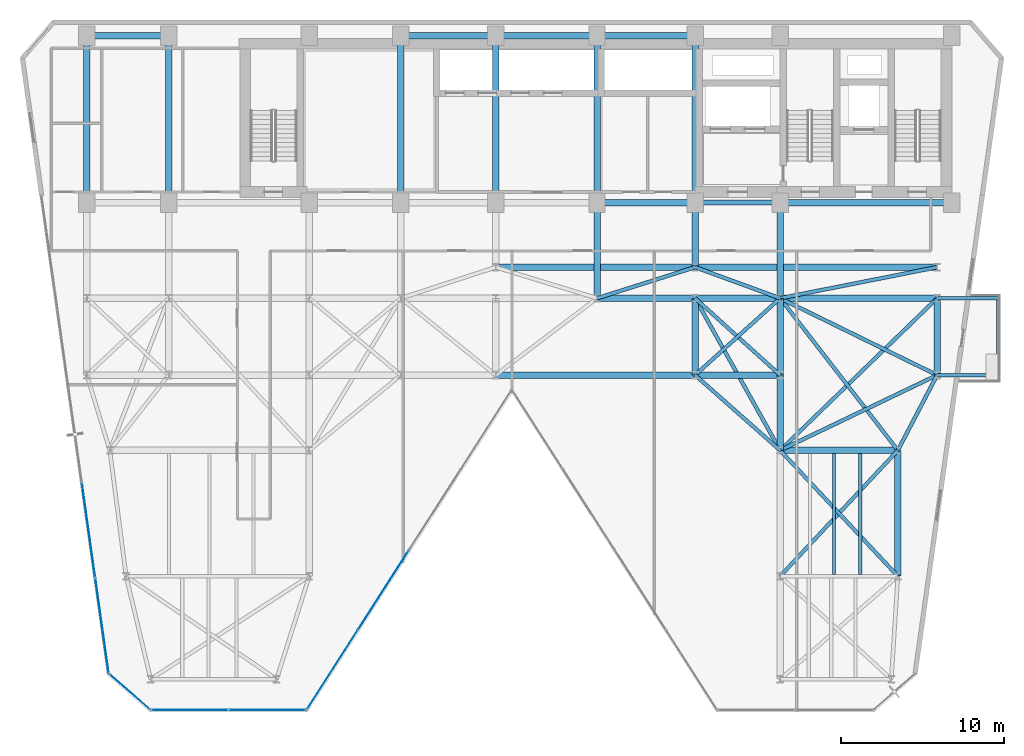
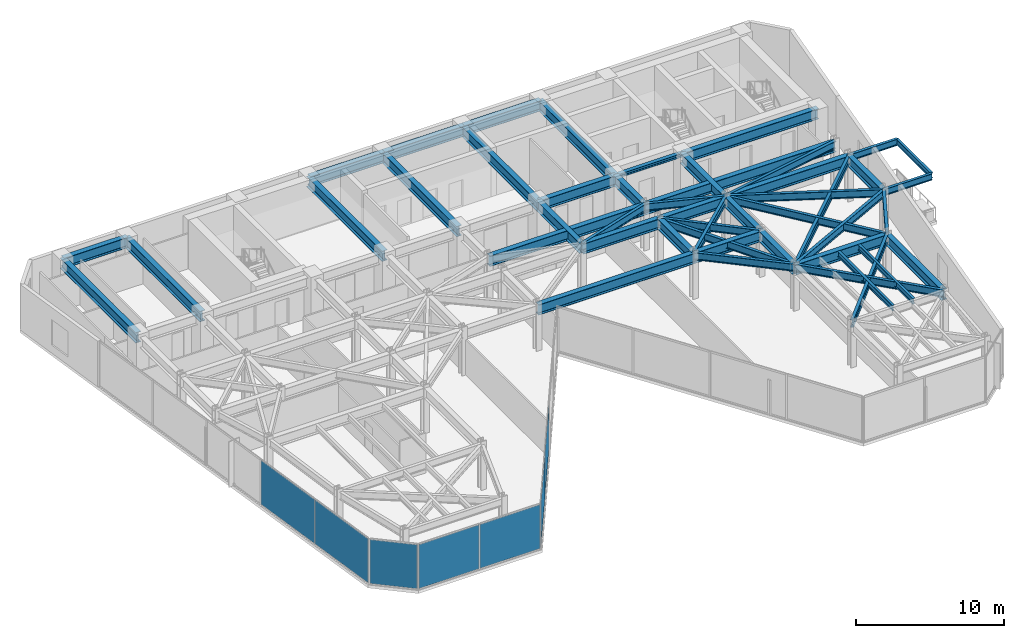
# One storey, part 20 of 26: 48 beams, 7 plates, 4 elements without a shape of their own.
"""IFC4 building model written with IfcOpenShell, lengths in metres."""

from ifc_helpers import new_model, si_unit, direction, frame, origin, origin_2d, place, context, subcontext, project, spatial, rectangle, i_section, extrude, material, layer, layer_set, material_profile, profile_set, type_object, element, aggregate, save


model = new_model("IFC4")

# Units and contexts
model_context = context("Model", 3, precision=1e-05, world=origin(), true_north=direction((0.0, 1.0)))
body_context = subcontext(model_context, "Body", "Model", "MODEL_VIEW")
ifc_project = project(units=[si_unit("LENGTHUNIT", "METRE"), si_unit("AREAUNIT", "SQUARE_METRE"), si_unit("VOLUMEUNIT", "CUBIC_METRE"), si_unit("PLANEANGLEUNIT", "RADIAN"), si_unit("MASSUNIT", "GRAM", prefix="KILO")], contexts=[model_context])

# Site, building, storey
site_placement = place(None, origin())
site = spatial("IfcSite", under=ifc_project, at=site_placement, CompositionType="ELEMENT")
building_placement = place(site_placement, origin())
building = spatial("IfcBuilding", under=site, at=building_placement, Name="Kravanh Interchange Tower", CompositionType="ELEMENT")
storey_placement = place(building_placement, frame((0.0, 0.0, 116.0)))
storey = spatial("IfcBuildingStorey", under=building, at=storey_placement, Name="L27", CompositionType="ELEMENT", Elevation=116.0)

# Beams
ifc_material_1 = material(Name="Structural Steel S355", Category="steel")
ifc_material_profile_1 = material_profile(ifc_material_1, i_section(OverallWidth=0.39990234375, OverallDepth=0.85595703125, WebThickness=0.018310546875, FlangeThickness=0.029296875, FilletRadius=0.02490234375, at=origin_2d()), Name="W33X201")
ifc_profile_set_1 = profile_set([ifc_material_profile_1], Name="Structural Steel S355")
beam_type_1 = type_object("IfcBeamType", Name="Floor Beam W33X201 Structural Steel S355", PredefinedType="BEAM", material=ifc_profile_set_1)
beam_1_placement = place(storey_placement, frame((66.5, 37.35009765625, 3.322021484375), z_axis=(-1.0, 0.0, 0.0), x_axis=(0.0, -1.0, 0.0)))
element("IfcBeam", 1, at=beam_1_placement, inside=storey, type_object=beam_type_1, Name="L27 Primary Floor Girder 5", PredefinedType="BEAM", context=body_context, shape_type="SweptSolid", body=[
    extrude(i_section(OverallWidth=0.39990234375, OverallDepth=0.85595703125, WebThickness=0.018310546875, FlangeThickness=0.029296875, FilletRadius=0.02490234375, at=origin_2d()), origin(), (0.0, 0.0, 1.0), 10.5),
])
beam_2_placement = place(storey_placement, frame((56.0, 37.35009765625, 3.322021484375), z_axis=(0.0, -1.0, 0.0), x_axis=(1.0, 0.0, 0.0)))
element("IfcBeam", 2, at=beam_2_placement, inside=storey, type_object=beam_type_1, Name="L27 Primary Floor Girder 7", PredefinedType="BEAM", context=body_context, shape_type="SweptSolid", body=[
    extrude(i_section(OverallWidth=0.39990234375, OverallDepth=0.85595703125, WebThickness=0.018310546875, FlangeThickness=0.029296875, FilletRadius=0.02490234375, at=origin_2d()), origin(), (0.0, 0.0, 1.0), 5.85009765625),
])
beam_3_placement = place(storey_placement, frame((50.800048828125, 47.550048828125, 3.322021484375), z_axis=(-1.0, 0.0, 0.0), x_axis=(0.0, -1.0, 0.0)))
element("IfcBeam", 3, at=beam_3_placement, inside=storey, type_object=beam_type_1, Name="L27 Primary Floor Girder 8", PredefinedType="BEAM", context=body_context, shape_type="SweptSolid", body=[
    extrude(i_section(OverallWidth=0.39990234375, OverallDepth=0.85595703125, WebThickness=0.018310546875, FlangeThickness=0.029296875, FilletRadius=0.02490234375, at=origin_2d()), origin(), (0.0, 0.0, 1.0), 6.0),
])
beam_4_placement = place(storey_placement, frame((50.800048828125, 47.550048828125, 3.322021484375), z_axis=(0.0, -1.0, 0.0), x_axis=(1.0, 0.0, 0.0)))
element("IfcBeam", 4, at=beam_4_placement, inside=storey, type_object=beam_type_1, Name="L27 Primary Floor Girder 9", PredefinedType="BEAM", context=body_context, shape_type="SweptSolid", body=[
    extrude(i_section(OverallWidth=0.39990234375, OverallDepth=0.85595703125, WebThickness=0.018310546875, FlangeThickness=0.029296875, FilletRadius=0.02490234375, at=origin_2d()), origin(), (0.0, 0.0, 1.0), 10.199951171875),
])
beam_5_placement = place(storey_placement, frame((50.800048828125, 37.35009765625, 3.322021484375), z_axis=(0.0, -1.0, 0.0), x_axis=(1.0, 0.0, 0.0)))
element("IfcBeam", 5, at=beam_5_placement, inside=storey, type_object=beam_type_1, Name="L27 Primary Floor Girder 10", PredefinedType="BEAM", context=body_context, shape_type="SweptSolid", body=[
    extrude(i_section(OverallWidth=0.39990234375, OverallDepth=0.85595703125, WebThickness=0.018310546875, FlangeThickness=0.029296875, FilletRadius=0.02490234375, at=origin_2d()), origin(), (0.0, 0.0, 1.0), 3.9501953125),
])
beam_6_placement = place(storey_placement, frame((50.800048828125, 37.35009765625, 3.322021484375), z_axis=(-1.0, 0.0, 0.0), x_axis=(0.0, -1.0, 0.0)))
element("IfcBeam", 6, at=beam_6_placement, inside=storey, type_object=beam_type_1, Name="L27 Primary Floor Girder 11", PredefinedType="BEAM", context=body_context, shape_type="SweptSolid", body=[
    extrude(i_section(OverallWidth=0.39990234375, OverallDepth=0.85595703125, WebThickness=0.018310546875, FlangeThickness=0.029296875, FilletRadius=0.02490234375, at=origin_2d()), origin(), (0.0, 0.0, 1.0), 6.0),
])
beam_7_placement = place(storey_placement, frame((44.800048828125, 37.35009765625, 3.322021484375), z_axis=(0.0, -1.0, 0.0), x_axis=(1.0, 0.0, 0.0)))
element("IfcBeam", 7, at=beam_7_placement, inside=storey, type_object=beam_type_1, Name="L27 Primary Floor Girder 12", PredefinedType="BEAM", context=body_context, shape_type="SweptSolid", body=[
    extrude(i_section(OverallWidth=0.39990234375, OverallDepth=0.85595703125, WebThickness=0.018310546875, FlangeThickness=0.029296875, FilletRadius=0.02490234375, at=origin_2d()), origin(), (0.0, 0.0, 1.0), 5.85009765625),
])
beam_8_placement = place(storey_placement, frame((44.800048828125, 37.35009765625, 3.322021484375), z_axis=(0.0, 1.0, 0.0), x_axis=(-1.0, 0.0, 0.0)))
element("IfcBeam", 8, at=beam_8_placement, inside=storey, type_object=beam_type_1, Name="L27 Primary Floor Girder 14", PredefinedType="BEAM", context=body_context, shape_type="SweptSolid", body=[
    extrude(i_section(OverallWidth=0.39990234375, OverallDepth=0.85595703125, WebThickness=0.018310546875, FlangeThickness=0.029296875, FilletRadius=0.02490234375, at=origin_2d()), origin(), (0.0, 0.0, 1.0), 10.199951171875),
])
beam_9_placement = place(storey_placement, frame((44.800048828125, 47.550048828125, 3.322021484375), z_axis=(-1.0, 0.0, 0.0), x_axis=(0.0, -1.0, 0.0)))
element("IfcBeam", 9, at=beam_9_placement, inside=storey, type_object=beam_type_1, Name="L27 Primary Floor Girder 15", PredefinedType="BEAM", context=body_context, shape_type="SweptSolid", body=[
    extrude(i_section(OverallWidth=0.39990234375, OverallDepth=0.85595703125, WebThickness=0.018310546875, FlangeThickness=0.029296875, FilletRadius=0.02490234375, at=origin_2d()), origin(), (0.0, 0.0, 1.0), 6.199951171875),
])
beam_10_placement = place(storey_placement, frame((38.60009765625, 37.35009765625, 3.322021484375), z_axis=(0.0, 1.0, 0.0), x_axis=(-1.0, 0.0, 0.0)))
element("IfcBeam", 10, at=beam_10_placement, inside=storey, type_object=beam_type_1, Name="L27 Primary Floor Girder 18", PredefinedType="BEAM", context=body_context, shape_type="SweptSolid", body=[
    extrude(i_section(OverallWidth=0.39990234375, OverallDepth=0.85595703125, WebThickness=0.018310546875, FlangeThickness=0.029296875, FilletRadius=0.02490234375, at=origin_2d()), origin(), (0.0, 0.0, 1.0), 10.199951171875),
])
beam_11_placement = place(storey_placement, frame((38.60009765625, 47.550048828125, 3.322021484375), z_axis=(-1.0, 0.0, 0.0), x_axis=(0.0, -1.0, 0.0)))
element("IfcBeam", 11, at=beam_11_placement, inside=storey, type_object=beam_type_1, Name="L27 Primary Floor Girder 19", PredefinedType="BEAM", context=body_context, shape_type="SweptSolid", body=[
    extrude(i_section(OverallWidth=0.39990234375, OverallDepth=0.85595703125, WebThickness=0.018310546875, FlangeThickness=0.029296875, FilletRadius=0.02490234375, at=origin_2d()), origin(), (0.0, 0.0, 1.0), 5.800048828125),
])
for number, where, z_axis, x_axis, name in (
    (12, (32.800048828125, 37.35009765625, 3.322021484375), (0.0, 1.0, 0.0), (-1.0, 0.0, 0.0), "L27 Primary Floor Girder 22"),
    (13, (18.60009765625, 37.35009765625, 3.322021484375), (0.0, 1.0, 0.0), (-1.0, 0.0, 0.0), "L27 Primary Floor Girder 30"),
):
    element("IfcBeam", number, at=place(storey_placement, frame(where, z_axis=z_axis, x_axis=x_axis)), inside=storey, type_object=beam_type_1, Name=name, PredefinedType="BEAM", context=body_context, shape_type="SweptSolid", body=[
        extrude(i_section(OverallWidth=0.39990234375, OverallDepth=0.85595703125, WebThickness=0.018310546875, FlangeThickness=0.029296875, FilletRadius=0.02490234375, at=origin_2d()), origin(), (0.0, 0.0, 1.0), 10.199951171875),
    ])
beam_12_placement = place(storey_placement, frame((18.60009765625, 47.550048828125, 3.322021484375), z_axis=(-1.0, 0.0, 0.0), x_axis=(0.0, -1.0, 0.0)))
element("IfcBeam", 14, at=beam_12_placement, inside=storey, type_object=beam_type_1, Name="L27 Primary Floor Girder 31", PredefinedType="BEAM", context=body_context, shape_type="SweptSolid", body=[
    extrude(i_section(OverallWidth=0.39990234375, OverallDepth=0.85595703125, WebThickness=0.018310546875, FlangeThickness=0.029296875, FilletRadius=0.02490234375, at=origin_2d()), origin(), (0.0, 0.0, 1.0), 5.0),
])
beam_13_placement = place(storey_placement, frame((13.60009765625, 37.35009765625, 3.322021484375), z_axis=(0.0, 1.0, 0.0), x_axis=(-1.0, 0.0, 0.0)))
element("IfcBeam", 15, at=beam_13_placement, inside=storey, type_object=beam_type_1, Name="L27 Primary Floor Girder 33", PredefinedType="BEAM", context=body_context, shape_type="SweptSolid", body=[
    extrude(i_section(OverallWidth=0.39990234375, OverallDepth=0.85595703125, WebThickness=0.018310546875, FlangeThickness=0.029296875, FilletRadius=0.02490234375, at=origin_2d()), origin(), (0.0, 0.0, 1.0), 10.199951171875),
])
beam_14_placement = place(storey_placement, frame((38.60009765625, 26.800048828125, 3.322021484375), z_axis=(1.0, 0.0, 0.0), x_axis=(0.0, 1.0, 0.0)))
element("IfcBeam", 16, at=beam_14_placement, inside=storey, type_object=beam_type_1, Name="L27 Primary Floor Girder 56", PredefinedType="BEAM", context=body_context, shape_type="SweptSolid", body=[
    extrude(i_section(OverallWidth=0.39990234375, OverallDepth=0.85595703125, WebThickness=0.018310546875, FlangeThickness=0.029296875, FilletRadius=0.02490234375, at=origin_2d()), origin(), (0.0, 0.0, 1.0), 12.199951171875),
])
beam_15_placement = place(storey_placement, frame((50.800048828125, 26.800048828125, 3.322021484375), z_axis=(0.0, 1.0, 0.0), x_axis=(-1.0, 0.0, 0.0)))
element("IfcBeam", 17, at=beam_15_placement, inside=storey, type_object=beam_type_1, Name="L27 Primary Floor Girder 57", PredefinedType="BEAM", context=body_context, shape_type="SweptSolid", body=[
    extrude(i_section(OverallWidth=0.39990234375, OverallDepth=0.85595703125, WebThickness=0.018310546875, FlangeThickness=0.029296875, FilletRadius=0.02490234375, at=origin_2d()), origin(), (0.0, 0.0, 1.0), 4.699951171875),
])
beam_16_placement = place(storey_placement, frame((50.800048828125, 26.800048828125, 3.322021484375), z_axis=(1.0, 0.0, 0.0), x_axis=(0.0, 1.0, 0.0)))
element("IfcBeam", 18, at=beam_16_placement, inside=storey, type_object=beam_type_1, Name="L27 Primary Floor Girder 58", PredefinedType="BEAM", context=body_context, shape_type="SweptSolid", body=[
    extrude(i_section(OverallWidth=0.39990234375, OverallDepth=0.85595703125, WebThickness=0.018310546875, FlangeThickness=0.029296875, FilletRadius=0.02490234375, at=origin_2d()), origin(), (0.0, 0.0, 1.0), 5.199951171875),
])
beam_17_placement = place(storey_placement, frame((56.0, 26.800048828125, 3.322021484375), z_axis=(0.0, -1.0, 0.0), x_axis=(1.0, 0.0, 0.0)))
element("IfcBeam", 19, at=beam_17_placement, inside=storey, type_object=beam_type_1, Name="L27 Primary Floor Girder 61", PredefinedType="BEAM", context=body_context, shape_type="SweptSolid", body=[
    extrude(i_section(OverallWidth=0.39990234375, OverallDepth=0.85595703125, WebThickness=0.018310546875, FlangeThickness=0.029296875, FilletRadius=0.02490234375, at=origin_2d()), origin(), (0.0, 0.0, 1.0), 4.60009765625),
])
for number, where, z_axis, x_axis, name in (
    (20, (56.0, 26.800048828125, 3.322021484375), (0.0, 1.0, 0.0), (-1.0, 0.0, 0.0), "L27 Primary Floor Girder 62"),
    (21, (65.60009765625, 26.800048828125, 3.322021484375), (0.0, 1.0, 0.0), (-1.0, 0.0, 0.0), "L27 Primary Floor Girder 65"),
):
    element("IfcBeam", number, at=place(storey_placement, frame(where, z_axis=z_axis, x_axis=x_axis)), inside=storey, type_object=beam_type_1, Name=name, PredefinedType="BEAM", context=body_context, shape_type="SweptSolid", body=[
        extrude(i_section(OverallWidth=0.39990234375, OverallDepth=0.85595703125, WebThickness=0.018310546875, FlangeThickness=0.029296875, FilletRadius=0.02490234375, at=origin_2d()), origin(), (0.0, 0.0, 1.0), 4.699951171875),
    ])
beam_18_placement = place(storey_placement, frame((44.800048828125, 31.5, 3.322021484375), z_axis=(1.0, 0.0, 0.0), x_axis=(0.0, 1.0, 0.0)))
element("IfcBeam", 22, at=beam_18_placement, inside=storey, type_object=beam_type_1, Name="L27 Primary Floor Girder 83", PredefinedType="BEAM", context=body_context, shape_type="SweptSolid", body=[
    extrude(i_section(OverallWidth=0.39990234375, OverallDepth=0.85595703125, WebThickness=0.018310546875, FlangeThickness=0.029296875, FilletRadius=0.02490234375, at=origin_2d()), origin(), (0.0, 0.0, 1.0), 6.0),
])
beam_19_placement = place(storey_placement, frame((50.800048828125, 31.5, 3.322021484375), z_axis=(1.0, 0.0, 0.0), x_axis=(0.0, 1.0, 0.0)))
element("IfcBeam", 23, at=beam_19_placement, inside=storey, type_object=beam_type_1, Name="L27 Primary Floor Girder 86", PredefinedType="BEAM", context=body_context, shape_type="SweptSolid", body=[
    extrude(i_section(OverallWidth=0.39990234375, OverallDepth=0.85595703125, WebThickness=0.018310546875, FlangeThickness=0.029296875, FilletRadius=0.02490234375, at=origin_2d()), origin(), (0.0, 0.0, 1.0), 5.199951171875),
])
beam_20_placement = place(storey_placement, frame((56.0, 31.5, 3.322021484375), z_axis=(1.0, 0.0, 0.0), x_axis=(0.0, 1.0, 0.0)))
element("IfcBeam", 24, at=beam_20_placement, inside=storey, type_object=beam_type_1, Name="L27 Primary Floor Girder 90", PredefinedType="BEAM", context=body_context, shape_type="SweptSolid", body=[
    extrude(i_section(OverallWidth=0.39990234375, OverallDepth=0.85595703125, WebThickness=0.018310546875, FlangeThickness=0.029296875, FilletRadius=0.02490234375, at=origin_2d()), origin(), (0.0, 0.0, 1.0), 9.60009765625),
])
beam_21_placement = place(storey_placement, frame((63.199951171875, 14.5, 3.322021484375), z_axis=(0.0, 1.0, 0.0), x_axis=(-1.0, 0.0, 0.0)))
element("IfcBeam", 25, at=beam_21_placement, inside=storey, type_object=beam_type_1, Name="L27 Primary Floor Girder 106", PredefinedType="BEAM", context=body_context, shape_type="SweptSolid", body=[
    extrude(i_section(OverallWidth=0.39990234375, OverallDepth=0.85595703125, WebThickness=0.018310546875, FlangeThickness=0.029296875, FilletRadius=0.02490234375, at=origin_2d()), origin(), (0.0, 0.0, 1.0), 7.699951171875),
])
beam_22_placement = place(storey_placement, frame((56.0, 22.199951171875, 3.322021484375), z_axis=(1.0, 0.0, 0.0), x_axis=(0.0, 1.0, 0.0)))
element("IfcBeam", 26, at=beam_22_placement, inside=storey, type_object=beam_type_1, Name="L27 Primary Floor Girder 109", PredefinedType="BEAM", context=body_context, shape_type="SweptSolid", body=[
    extrude(i_section(OverallWidth=0.39990234375, OverallDepth=0.85595703125, WebThickness=0.018310546875, FlangeThickness=0.029296875, FilletRadius=0.02490234375, at=origin_2d()), origin(), (0.0, 0.0, 1.0), 7.199951171875),
])
beam_23_placement = place(storey_placement, frame((38.60009765625, 33.39990234375, 3.322021484375), z_axis=(1.0, 0.0, 0.0), x_axis=(0.0, 1.0, 0.0)))
element("IfcBeam", 27, at=beam_23_placement, inside=storey, type_object=beam_type_1, Name="L27 Primary Floor Girder 111", PredefinedType="BEAM", context=body_context, shape_type="SweptSolid", body=[
    extrude(i_section(OverallWidth=0.39990234375, OverallDepth=0.85595703125, WebThickness=0.018310546875, FlangeThickness=0.029296875, FilletRadius=0.02490234375, at=origin_2d()), origin(), (0.0, 0.0, 1.0), 12.199951171875),
])
beam_24_placement = place(storey_placement, frame((50.800048828125, 33.39990234375, 3.322021484375), z_axis=(1.0, 0.0, 0.0), x_axis=(0.0, 1.0, 0.0)))
element("IfcBeam", 28, at=beam_24_placement, inside=storey, type_object=beam_type_1, Name="L27 Primary Floor Girder 112", PredefinedType="BEAM", context=body_context, shape_type="SweptSolid", body=[
    extrude(i_section(OverallWidth=0.39990234375, OverallDepth=0.85595703125, WebThickness=0.018310546875, FlangeThickness=0.029296875, FilletRadius=0.02490234375, at=origin_2d()), origin(), (0.0, 0.0, 1.0), 14.800048828125),
])
ifc_material_2 = material(Name="Structural Steel S355", Category="steel")
ifc_material_profile_2 = material_profile(ifc_material_2, i_section(OverallWidth=0.18994140625, OverallDepth=0.45703125, WebThickness=0.009033203125, FlangeThickness=0.014404296875, FilletRadius=0.01806640625, at=origin_2d()), Name="W18X50")
ifc_profile_set_2 = profile_set([ifc_material_profile_2], Name="Structural Steel S355")
beam_type_2 = type_object("IfcBeamType", Name="Floor Joist W18X50 Structural Steel S355", PredefinedType="JOIST", material=ifc_profile_set_2)
for number, where, z_axis, x_axis, name in (
    (29, (59.304931640625, 14.60888671875, 3.521484375), (0.0, 1.0, 0.0), (-1.0, 0.0, 0.0), "L27 Secondary Floor Joist 11"),
    (30, (60.89794921875, 14.60888671875, 3.521484375), (0.0, 1.0, 0.0), (-1.0, 0.0, 0.0), "L27 Secondary Floor Joist 12"),
):
    element("IfcBeam", number, at=place(storey_placement, frame(where, z_axis=z_axis, x_axis=x_axis)), inside=storey, type_object=beam_type_2, Name=name, PredefinedType="JOIST", context=body_context, shape_type="SweptSolid", body=[
        extrude(i_section(OverallWidth=0.18994140625, OverallDepth=0.45703125, WebThickness=0.009033203125, FlangeThickness=0.014404296875, FilletRadius=0.01806640625, at=origin_2d()), origin(), (0.0, 0.0, 1.0), 7.39599609375),
    ])
beam_25_placement = place(storey_placement, frame((69.330078125, 26.800048828125, 3.521484375), z_axis=(0.0, 1.0, 0.0), x_axis=(-1.0, 0.0, 0.0)))
element("IfcBeam", 31, at=beam_25_placement, inside=storey, type_object=beam_type_2, Name="L27 Balcony Edge Tie Beam E", PredefinedType="JOIST", context=body_context, shape_type="SweptSolid", body=[
    extrude(i_section(OverallWidth=0.18994140625, OverallDepth=0.45703125, WebThickness=0.009033203125, FlangeThickness=0.014404296875, FilletRadius=0.01806640625, at=origin_2d()), origin(), (0.0, 0.0, 1.0), 4.699951171875),
])
ifc_material_3 = material(Name="Structural Steel S355", Category="steel")
ifc_material_profile_3 = material_profile(ifc_material_3, i_section(OverallWidth=0.304931640625, OverallDepth=0.306884765625, WebThickness=0.010009765625, FlangeThickness=0.015380859375, FilletRadius=0.014892578125, at=origin_2d()), Name="W12X65")
ifc_profile_set_3 = profile_set([ifc_material_profile_3], Name="Structural Steel S355")
beam_type_3 = type_object("IfcBeamType", Name="Floor Lintel W12X65 Structural Steel S355", PredefinedType="LINTEL", material=ifc_profile_set_3)
beam_26_placement = place(storey_placement, frame((50.800048828125, 37.35009765625, 3.596435546875), z_axis=(1.0, 0.0, 0.0), x_axis=(0.0, 1.0, 0.0)))
element("IfcBeam", 32, at=beam_26_placement, inside=storey, type_object=beam_type_3, Name="L27 Core Coupling Lintel 1", PredefinedType="LINTEL", context=body_context, shape_type="SweptSolid", body=[
    extrude(i_section(OverallWidth=0.304931640625, OverallDepth=0.306884765625, WebThickness=0.010009765625, FlangeThickness=0.015380859375, FilletRadius=0.014892578125, at=origin_2d()), origin(), (0.0, 0.0, 1.0), 5.199951171875),
])
ifc_material_4 = material(Name="Structural Steel S355", Category="steel")
ifc_material_profile_4 = material_profile(ifc_material_4, i_section(OverallWidth=0.2099609375, OverallDepth=0.537109375, WebThickness=0.010986328125, FlangeThickness=0.017333984375, FilletRadius=0.02001953125, at=origin_2d()), Name="W21X68")
ifc_profile_set_4 = profile_set([ifc_material_profile_4], Name="Structural Steel S355")
beam_type_4 = type_object("IfcBeamType", Name="Floor Spandrel W21X68 Structural Steel S355", PredefinedType="SPANDREL", material=ifc_profile_set_4)
for number, where, z_axis, x_axis, name in (
    (33, (65.60009765625, 26.800048828125, 3.4814453125), (1.0, 0.0, 0.0), (0.0, 1.0, 0.0), "L27 Balcony Cantilever Outrigger E1"),
    (34, (65.60009765625, 31.5, 3.4814453125), (1.0, 0.0, 0.0), (0.0, 1.0, 0.0), "L27 Balcony Cantilever Outrigger E2"),
):
    element("IfcBeam", number, at=place(storey_placement, frame(where, z_axis=z_axis, x_axis=x_axis)), inside=storey, type_object=beam_type_4, Name=name, PredefinedType="SPANDREL", context=body_context, shape_type="SweptSolid", body=[
        extrude(i_section(OverallWidth=0.2099609375, OverallDepth=0.537109375, WebThickness=0.010986328125, FlangeThickness=0.017333984375, FilletRadius=0.02001953125, at=origin_2d()), origin(), (0.0, 0.0, 1.0), 3.72998046875),
    ])
ifc_material_5 = material(Name="Structural Steel S355", Category="steel")
ifc_material_profile_5 = material_profile(ifc_material_5, i_section(OverallWidth=0.22802734375, OverallDepth=0.60791015625, WebThickness=0.01123046875, FlangeThickness=0.017333984375, FilletRadius=0.02197265625, at=origin_2d()), Name="W24X76")
ifc_profile_set_5 = profile_set([ifc_material_profile_5], Name="Structural Steel S355")
beam_type_5 = type_object("IfcBeamType", Name="Floor Spandrel W24X76 Structural Steel S355", PredefinedType="SPANDREL", material=ifc_profile_set_5)
beam_27_placement = place(storey_placement, frame((50.800048828125, 26.800048828125, 3.446044921875), z_axis=(0.74898649432, -0.662585263439, 0.0), x_axis=(0.662585263439, 0.74898649432, 0.0)))
element("IfcBeam", 35, at=beam_27_placement, inside=storey, type_object=beam_type_5, Name="L27 Perimeter Spandrel 59", PredefinedType="SPANDREL", context=body_context, shape_type="SweptSolid", body=[
    extrude(i_section(OverallWidth=0.22802734375, OverallDepth=0.60791015625, WebThickness=0.01123046875, FlangeThickness=0.017333984375, FilletRadius=0.02197265625, at=origin_2d()), origin(), (0.0, 0.0, 1.0), 6.942626953125),
])
for number, where, z_axis, x_axis, name in (
    (36, (50.800048828125, 26.800048828125, 3.446044921875), (0.741874009795, 0.670539300557, 0.0), (-0.670539300557, 0.741874009795, 0.0), "L27 Perimeter Spandrel 60"),
    (37, (56.0, 26.800048828125, 3.446044921875), (-0.741874009795, 0.670539300557, 0.0), (-0.670539300557, -0.741874009795, 0.0), "L27 Perimeter Spandrel 63"),
):
    element("IfcBeam", number, at=place(storey_placement, frame(where, z_axis=z_axis, x_axis=x_axis)), inside=storey, type_object=beam_type_5, Name=name, PredefinedType="SPANDREL", context=body_context, shape_type="SweptSolid", body=[
        extrude(i_section(OverallWidth=0.22802734375, OverallDepth=0.60791015625, WebThickness=0.01123046875, FlangeThickness=0.017333984375, FilletRadius=0.02197265625, at=origin_2d()), origin(), (0.0, 0.0, 1.0), 7.00927734375),
    ])
beam_28_placement = place(storey_placement, frame((65.60009765625, 26.800048828125, 3.446044921875), z_axis=(-0.462580479178, -0.886577295155, 0.0), x_axis=(0.886577295155, -0.462580479178, 0.0)))
element("IfcBeam", 38, at=beam_28_placement, inside=storey, type_object=beam_type_5, Name="L27 Perimeter Spandrel 66", PredefinedType="SPANDREL", context=body_context, shape_type="SweptSolid", body=[
    extrude(i_section(OverallWidth=0.22802734375, OverallDepth=0.60791015625, WebThickness=0.01123046875, FlangeThickness=0.017333984375, FilletRadius=0.02197265625, at=origin_2d()), origin(), (0.0, 0.0, 1.0), 5.188720703125),
])
beam_29_placement = place(storey_placement, frame((65.60009765625, 26.800048828125, 3.446044921875), z_axis=(-0.901814166789, -0.432124066188, 0.0), x_axis=(0.432124066188, -0.901814166789, 0.0)))
element("IfcBeam", 39, at=beam_29_placement, inside=storey, type_object=beam_type_5, Name="L27 Perimeter Spandrel 67", PredefinedType="SPANDREL", context=body_context, shape_type="SweptSolid", body=[
    extrude(i_section(OverallWidth=0.22802734375, OverallDepth=0.60791015625, WebThickness=0.01123046875, FlangeThickness=0.017333984375, FilletRadius=0.02197265625, at=origin_2d()), origin(), (0.0, 0.0, 1.0), 10.645263671875),
])
beam_30_placement = place(storey_placement, frame((65.60009765625, 26.800048828125, 3.446044921875), z_axis=(-0.898141688387, 0.439706160499, 0.0), x_axis=(-0.439706160499, -0.898141688387, 0.0)))
element("IfcBeam", 40, at=beam_30_placement, inside=storey, type_object=beam_type_5, Name="L27 Perimeter Spandrel 68", PredefinedType="SPANDREL", context=body_context, shape_type="SweptSolid", body=[
    extrude(i_section(OverallWidth=0.22802734375, OverallDepth=0.60791015625, WebThickness=0.01123046875, FlangeThickness=0.017333984375, FilletRadius=0.02197265625, at=origin_2d()), origin(), (0.0, 0.0, 1.0), 10.68896484375),
])
beam_31_placement = place(storey_placement, frame((44.800048828125, 31.5, 3.446044921875), z_axis=(0.953346691051, 0.301877602122, 0.0), x_axis=(-0.301877602122, 0.953346691051, 0.0)))
element("IfcBeam", 41, at=beam_31_placement, inside=storey, type_object=beam_type_5, Name="L27 Perimeter Spandrel 84", PredefinedType="SPANDREL", context=body_context, shape_type="SweptSolid", body=[
    extrude(i_section(OverallWidth=0.22802734375, OverallDepth=0.60791015625, WebThickness=0.01123046875, FlangeThickness=0.017333984375, FilletRadius=0.02197265625, at=origin_2d()), origin(), (0.0, 0.0, 1.0), 6.293701171875),
])
beam_32_placement = place(storey_placement, frame((50.800048828125, 31.5, 3.446044921875), z_axis=(0.488026248114, -0.872828952975, 0.0), x_axis=(0.872828952975, 0.488026248114, 0.0)))
element("IfcBeam", 42, at=beam_32_placement, inside=storey, type_object=beam_type_5, Name="L27 Perimeter Spandrel 87", PredefinedType="SPANDREL", context=body_context, shape_type="SweptSolid", body=[
    extrude(i_section(OverallWidth=0.22802734375, OverallDepth=0.60791015625, WebThickness=0.01123046875, FlangeThickness=0.017333984375, FilletRadius=0.02197265625, at=origin_2d()), origin(), (0.0, 0.0, 1.0), 10.655029296875),
])
beam_33_placement = place(storey_placement, frame((56.0, 31.5, 3.446044921875), z_axis=(-0.93926957103, 0.343180233896, 0.0), x_axis=(-0.343180233896, -0.93926957103, 0.0)))
element("IfcBeam", 43, at=beam_33_placement, inside=storey, type_object=beam_type_5, Name="L27 Perimeter Spandrel 89", PredefinedType="SPANDREL", context=body_context, shape_type="SweptSolid", body=[
    extrude(i_section(OverallWidth=0.22802734375, OverallDepth=0.60791015625, WebThickness=0.01123046875, FlangeThickness=0.017333984375, FilletRadius=0.02197265625, at=origin_2d()), origin(), (0.0, 0.0, 1.0), 5.5361328125),
])
beam_34_placement = place(storey_placement, frame((56.0, 31.5, 3.446044921875), z_axis=(0.980974000807, 0.194139150457, 0.0), x_axis=(-0.194139150457, 0.980974000807, 0.0)))
element("IfcBeam", 44, at=beam_34_placement, inside=storey, type_object=beam_type_5, Name="L27 Perimeter Spandrel 91", PredefinedType="SPANDREL", context=body_context, shape_type="SweptSolid", body=[
    extrude(i_section(OverallWidth=0.22802734375, OverallDepth=0.60791015625, WebThickness=0.01123046875, FlangeThickness=0.017333984375, FilletRadius=0.02197265625, at=origin_2d()), origin(), (0.0, 0.0, 1.0), 9.786376953125),
])
beam_35_placement = place(storey_placement, frame((56.0, 31.5, 3.446044921875), z_axis=(0.612168587637, -0.790727273028, 0.0), x_axis=(0.790727273028, 0.612168587637, 0.0)))
element("IfcBeam", 45, at=beam_35_placement, inside=storey, type_object=beam_type_5, Name="L27 Perimeter Spandrel 92", PredefinedType="SPANDREL", context=body_context, shape_type="SweptSolid", body=[
    extrude(i_section(OverallWidth=0.22802734375, OverallDepth=0.60791015625, WebThickness=0.01123046875, FlangeThickness=0.017333984375, FilletRadius=0.02197265625, at=origin_2d()), origin(), (0.0, 0.0, 1.0), 11.761474609375),
])
beam_36_placement = place(storey_placement, frame((65.60009765625, 31.5, 3.446044921875), z_axis=(-0.718241934329, -0.695793449072, 0.0), x_axis=(0.695793449072, -0.718241934329, 0.0)))
element("IfcBeam", 46, at=beam_36_placement, inside=storey, type_object=beam_type_5, Name="L27 Perimeter Spandrel 94", PredefinedType="SPANDREL", context=body_context, shape_type="SweptSolid", body=[
    extrude(i_section(OverallWidth=0.22802734375, OverallDepth=0.60791015625, WebThickness=0.01123046875, FlangeThickness=0.017333984375, FilletRadius=0.02197265625, at=origin_2d()), origin(), (0.0, 0.0, 1.0), 13.3662109375),
])
for number, where, z_axis, x_axis, name in (
    (47, (56.0, 14.5, 3.446044921875), (0.682993762113, 0.73042420614, 0.0), (-0.73042420614, 0.682993762113, 0.0), "L27 Perimeter Spandrel 105"),
    (48, (63.199951171875, 14.5, 3.446044921875), (-0.682993762113, 0.73042420614, 0.0), (-0.73042420614, -0.682993762113, 0.0), "L27 Perimeter Spandrel 107"),
):
    element("IfcBeam", number, at=place(storey_placement, frame(where, z_axis=z_axis, x_axis=x_axis)), inside=storey, type_object=beam_type_5, Name=name, PredefinedType="SPANDREL", context=body_context, shape_type="SweptSolid", body=[
        extrude(i_section(OverallWidth=0.22802734375, OverallDepth=0.60791015625, WebThickness=0.01123046875, FlangeThickness=0.017333984375, FilletRadius=0.02197265625, at=origin_2d()), origin(), (0.0, 0.0, 1.0), 10.541748046875),
    ])

# Curtain wall, plates
ifc_material_6 = material(Name="Anodised Bronze Aluminium", Category="aluminium")
ifc_layer_1 = layer(ifc_material_6, 0.179931640625)
ifc_layer_set_1 = layer_set([ifc_layer_1], Name="Unitised Curtain Wall System CW-Z2 Mid Office")
curtain_wall_type = type_object("IfcCurtainWallType", Name="Unitised Curtain Wall System CW-Z2 Mid Office", PredefinedType="NOTDEFINED", material=ifc_layer_set_1)
curtain_wall_1_placement = place(storey_placement, origin())
curtain_wall_1 = element("IfcCurtainWall", 49, at=curtain_wall_1_placement, inside=storey, type_object=curtain_wall_type, Name="L27 Unitised Curtain Wall CW-L27-01", PredefinedType="NOTDEFINED")
ifc_material_7 = material(Name="Low-E Laminated Architectural Glass", Category="glass")
ifc_layer_2 = layer(ifc_material_7, 0.02587890625)
ifc_layer_set_2 = layer_set([ifc_layer_2], Name="Solar-Control Double Glazing 26mm")
plate_type = type_object("IfcPlateType", Name="Solar-Control Double Glazing 26mm", PredefinedType="CURTAIN_PANEL", material=ifc_layer_set_2)
plate_1_placement = place(storey_placement, frame((14.524169921875, 11.479736328125, 0.06005859375), z_axis=(0.0, 0.0, 1.0), x_axis=(-0.13917285118, 0.990268103846, 0.0)))
plate_1 = element("IfcPlate", 50, at=plate_1_placement, type_object=plate_type, Name="CW-Z2 panel 1.1", PredefinedType="CURTAIN_PANEL", context=body_context, shape_type="SweptSolid", body=[
    extrude(rectangle(XDim=5.81982421875, YDim=0.02587890625, at=origin_2d()), origin(), (0.0, 0.0, 1.0), 3.6298828125),
])
plate_2_placement = place(storey_placement, frame((13.70361328125, 17.317138671875, 0.06005859375), z_axis=(0.0, 0.0, 1.0), x_axis=(-0.13917285118, 0.990268103846, 0.0)))
plate_2 = element("IfcPlate", 51, at=plate_2_placement, type_object=plate_type, Name="CW-Z2 panel 2.1", PredefinedType="CURTAIN_PANEL", context=body_context, shape_type="SweptSolid", body=[
    extrude(rectangle(XDim=5.849853515625, YDim=0.02587890625, at=origin_2d()), origin(), (0.0, 0.0, 1.0), 3.6298828125),
])
aggregate(curtain_wall_1, [plate_1, plate_2])

curtain_wall_2_placement = place(storey_placement, origin())
curtain_wall_2 = element("IfcCurtainWall", 52, at=curtain_wall_2_placement, inside=storey, type_object=curtain_wall_type, Name="L27 Unitised Curtain Wall CW-L27-05", PredefinedType="NOTDEFINED")
plate_3_placement = place(storey_placement, frame((31.74658203125, 13.6708984375, 0.06005859375), z_axis=(0.0, 0.0, 1.0), x_axis=(-0.539664865919, -0.841879939476, 0.0)))
plate_3 = element("IfcPlate", 53, at=plate_3_placement, type_object=plate_type, Name="CW-Z2 panel 3.1", PredefinedType="CURTAIN_PANEL", context=body_context, shape_type="SweptSolid", body=[
    extrude(rectangle(XDim=5.760986328125, YDim=0.02587890625, at=origin_2d()), origin(), (0.0, 0.0, 1.0), 3.6298828125),
])
plate_4_placement = place(storey_placement, frame((28.61328125, 8.782958984375, 0.06005859375), z_axis=(0.0, 0.0, 1.0), x_axis=(-0.539664865919, -0.841879939476, 0.0)))
plate_4 = element("IfcPlate", 54, at=plate_4_placement, type_object=plate_type, Name="CW-Z2 panel 4.1", PredefinedType="CURTAIN_PANEL", context=body_context, shape_type="SweptSolid", body=[
    extrude(rectangle(XDim=5.73095703125, YDim=0.02587890625, at=origin_2d()), origin(), (0.0, 0.0, 1.0), 3.6298828125),
])
aggregate(curtain_wall_2, [plate_3, plate_4])

curtain_wall_3_placement = place(storey_placement, origin())
curtain_wall_3 = element("IfcCurtainWall", 55, at=curtain_wall_3_placement, inside=storey, type_object=curtain_wall_type, Name="L27 Unitised Curtain Wall CW-L27-06", PredefinedType="NOTDEFINED")
plate_5_placement = place(storey_placement, frame((24.63330078125, 6.320068359375, 0.06005859375), z_axis=(0.0, 0.0, 1.0), x_axis=(-1.0, 0.0, 0.0)))
plate_5 = element("IfcPlate", 56, at=plate_5_placement, type_object=plate_type, Name="CW-Z2 panel 1.1", PredefinedType="CURTAIN_PANEL", context=body_context, shape_type="SweptSolid", body=[
    extrude(rectangle(XDim=4.682373046875, YDim=0.02587890625, at=origin_2d()), origin(), (0.0, 0.0, 1.0), 3.6298828125),
])
plate_6_placement = place(storey_placement, frame((19.890869140625, 6.320068359375, 0.06005859375), z_axis=(0.0, 0.0, 1.0), x_axis=(-1.0, 0.0, 0.0)))
plate_6 = element("IfcPlate", 57, at=plate_6_placement, type_object=plate_type, Name="CW-Z2 panel 2.1", PredefinedType="CURTAIN_PANEL", context=body_context, shape_type="SweptSolid", body=[
    extrude(rectangle(XDim=4.682373046875, YDim=0.02587890625, at=origin_2d()), origin(), (0.0, 0.0, 1.0), 3.6298828125),
])
aggregate(curtain_wall_3, [plate_5, plate_6])

# Curtain wall, plate
curtain_wall_4_placement = place(storey_placement, origin())
curtain_wall_4 = element("IfcCurtainWall", 58, at=curtain_wall_4_placement, inside=storey, type_object=curtain_wall_type, Name="L27 Unitised Curtain Wall CW-L27-07", PredefinedType="NOTDEFINED")
plate_7_placement = place(storey_placement, frame((16.213623046875, 7.429443359375, 0.06005859375), z_axis=(0.0, 0.0, 1.0), x_axis=(-0.754719458103, 0.656047665617, 0.0)))
plate_7 = element("IfcPlate", 59, at=plate_7_placement, type_object=plate_type, Name="CW-Z2 panel 1.1", PredefinedType="CURTAIN_PANEL", context=body_context, shape_type="SweptSolid", body=[
    extrude(rectangle(XDim=3.261962890625, YDim=0.02587890625, at=origin_2d()), origin(), (0.0, 0.0, 1.0), 3.6298828125),
])
aggregate(curtain_wall_4, [plate_7])

save(model, "model.ifc")
